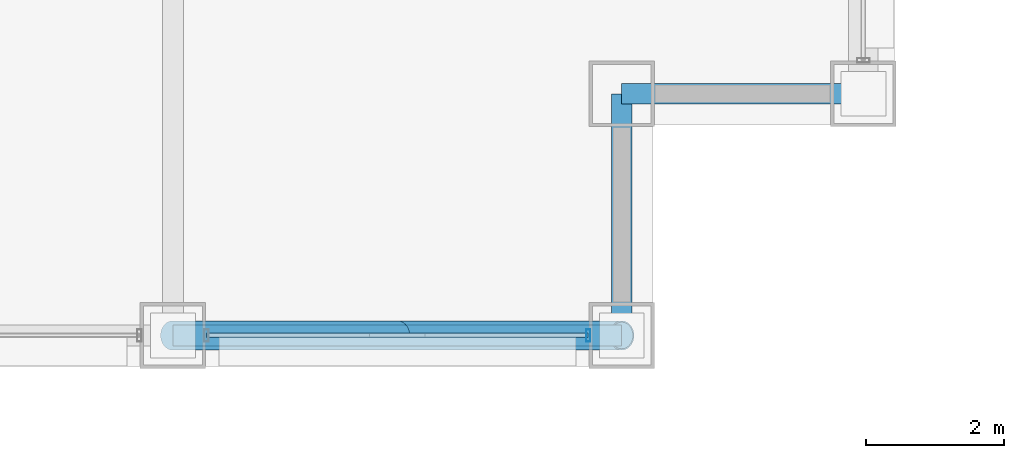
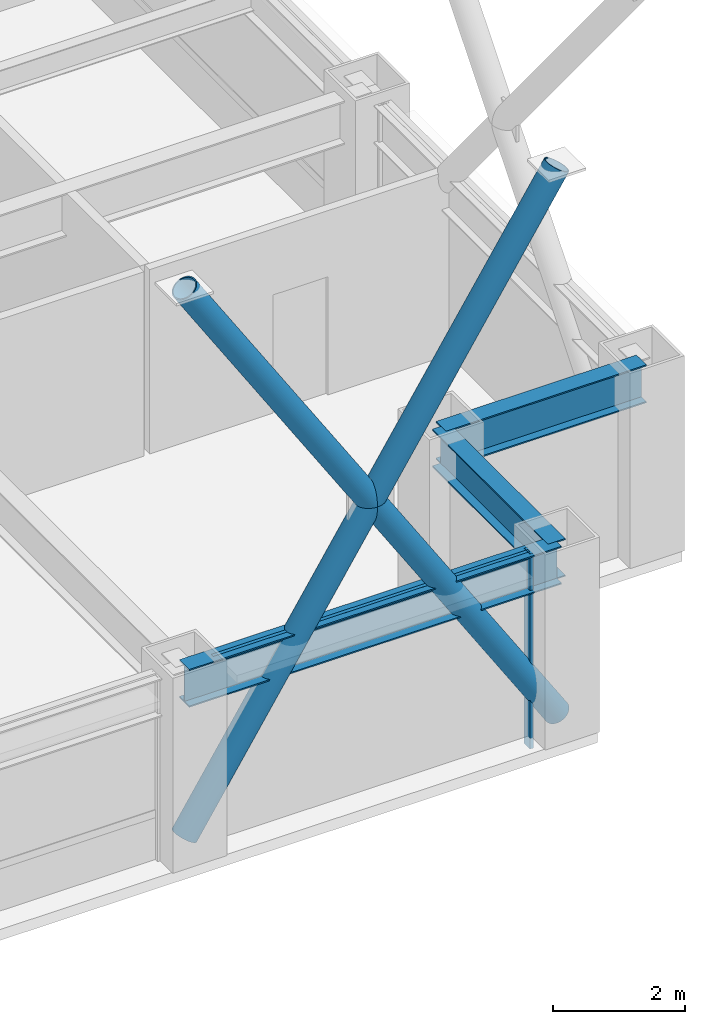
# One storey, part 12 of 34: 5 members, 3 beams, 1 element without a shape of its own.
"""IFC4 building model written with IfcOpenShell, lengths in metres."""

from ifc_helpers import new_model, si_unit, direction, frame, origin, origin_2d, place, context, subcontext, project, spatial, hollow_rectangle, hollow_circle, i_section, extrude, material, layer, layer_set, material_profile, profile_set, type_object, element, aggregate, save


model = new_model("IFC4")

# Units and contexts
model_context = context("Model", 3, precision=1e-05, world=origin(), true_north=direction((0.0, 1.0)))
body_context = subcontext(model_context, "Body", "Model", "MODEL_VIEW")
ifc_project = project(units=[si_unit("LENGTHUNIT", "METRE"), si_unit("AREAUNIT", "SQUARE_METRE"), si_unit("VOLUMEUNIT", "CUBIC_METRE"), si_unit("PLANEANGLEUNIT", "RADIAN"), si_unit("MASSUNIT", "GRAM", prefix="KILO")], contexts=[model_context])

# Site, building, storey
site_placement = place(None, origin())
site = spatial("IfcSite", under=ifc_project, at=site_placement, CompositionType="ELEMENT")
building_placement = place(site_placement, origin())
building = spatial("IfcBuilding", under=site, at=building_placement, Name="Brelmoor Portico Tower", CompositionType="ELEMENT")
storey_placement = place(building_placement, frame((0.0, 0.0, 45.60009765625)))
storey = spatial("IfcBuildingStorey", under=building, at=storey_placement, Name="L11", CompositionType="ELEMENT", Elevation=45.60009765625)

# Beams
ifc_material_1 = material(Name="Steel Q355B", Category="steel")
ifc_material_profile_1 = material_profile(ifc_material_1, i_section(OverallWidth=0.300048828125, OverallDepth=0.699951171875, WebThickness=0.012939453125, FlangeThickness=0.02392578125, at=origin_2d()), Name="HN 700x300x13x24")
ifc_profile_set_1 = profile_set([ifc_material_profile_1], Name="Steel Q355B")
beam_type = type_object("IfcBeamType", Name="BM-SP-700", PredefinedType="SPANDREL", material=ifc_profile_set_1)
beam_placement = place(storey_placement, frame((14.550048828125, -21.550048828125, 3.0498046875), z_axis=(1.0, 0.0, 0.0), x_axis=(0.0, 1.0, 0.0)))
element("IfcBeam", 1, at=beam_placement, inside=storey, type_object=beam_type, Name="L11 Perimeter Spandrel Beam SP-05", PredefinedType="SPANDREL", context=body_context, shape_type="SweptSolid", body=[
    extrude(i_section(OverallWidth=0.300048828125, OverallDepth=0.699951171875, WebThickness=0.012939453125, FlangeThickness=0.02392578125, at=origin_2d()), origin(), (0.0, 0.0, 1.0), 6.5),
])
for number, where, z_axis, x_axis, name in (
    (2, (21.050048828125, -18.050048828125, 3.0498046875), (1.0, 0.0, 0.0), (0.0, 1.0, 0.0), "L11 Perimeter Spandrel Beam SP-07"),
    (3, (21.050048828125, -21.550048828125, 3.0498046875), (0.0, 1.0, 0.0), (-1.0, 0.0, 0.0), "L11 Perimeter Spandrel Beam SP-20"),
):
    element("IfcBeam", number, at=place(storey_placement, frame(where, z_axis=z_axis, x_axis=x_axis)), inside=storey, type_object=beam_type, Name=name, PredefinedType="SPANDREL", context=body_context, shape_type="SweptSolid", body=[
        extrude(i_section(OverallWidth=0.300048828125, OverallDepth=0.699951171875, WebThickness=0.012939453125, FlangeThickness=0.02392578125, at=origin_2d()), origin(), (0.0, 0.0, 1.0), 3.5),
    ])

# Members
ifc_material_profile_2 = material_profile(ifc_material_1, hollow_circle(Radius=0.212890625, WallThickness=0.02001953125, at=origin_2d()), Name="CHS 426x20")
ifc_profile_set_2 = profile_set([ifc_material_profile_2], Name="Steel Q355B")
member_type_1 = type_object("IfcMemberType", Name="MB-BELT-DIAG1", PredefinedType="BRACE", material=ifc_profile_set_2)
member_1_placement = place(storey_placement, frame((14.550048828125, -21.550048828125, 0.25), z_axis=(0.541183873462, 0.0, 0.840904284152), x_axis=(0.0, 1.0, 0.0)))
element("IfcMember", 4, at=member_1_placement, inside=storey, type_object=member_type_1, Name="L11 Continuous Mega-X Brace 018A", PredefinedType="BRACE", context=body_context, shape_type="SweptSolid", body=[
    extrude(hollow_circle(Radius=0.212890625, WallThickness=0.02001953125, at=origin_2d()), origin(), (0.0, 0.0, 1.0), 12.0107421875),
])
for number, where, z_axis, x_axis, name in (
    (5, (21.050048828125, -21.550048828125, 0.25), (-0.541193124039, 0.0, 0.840898330651), (0.0, -1.0, 0.0), "L11 Split Mega-X Brace 018B1"),
    (6, (17.800048828125, -21.550048828125, 5.2998046875), (-0.541174623135, 0.0, 0.840910237347), (0.0, -1.0, 0.0), "L11 Split Mega-X Brace 018B2"),
):
    element("IfcMember", number, at=place(storey_placement, frame(where, z_axis=z_axis, x_axis=x_axis)), inside=storey, type_object=member_type_1, Name=name, PredefinedType="BRACE", context=body_context, shape_type="SweptSolid", body=[
        extrude(hollow_circle(Radius=0.212890625, WallThickness=0.02001953125, at=origin_2d()), origin(), (0.0, 0.0, 1.0), 6.00537109375),
    ])

# Curtain wall, members
ifc_material_2 = material(Name="Anodised Aluminium Alloy 6063-T6", Category="aluminium")
ifc_layer = layer(ifc_material_2, 0.179931640625)
ifc_layer_set = layer_set([ifc_layer], Name="Anodised Aluminium Alloy 6063-T6")
curtain_wall_type = type_object("IfcCurtainWallType", Name="CW-TOWER-Z1-XB", PredefinedType="NOTDEFINED", material=ifc_layer_set)
curtain_wall_placement = place(storey_placement, origin())
curtain_wall = element("IfcCurtainWall", 7, at=curtain_wall_placement, inside=storey, type_object=curtain_wall_type, Name="L11 Curtain Wall CW-L11-1R-3", PredefinedType="NOTDEFINED")
ifc_material_profile_3 = material_profile(ifc_material_2, hollow_rectangle(XDim=0.06494140625, YDim=0.179931640625, WallThickness=0.00390625, at=origin_2d()), Name="ALU MULLION 65x180")
ifc_profile_set_3 = profile_set([ifc_material_profile_3], Name="Anodised Aluminium Alloy 6063-T6")
member_type_2 = type_object("IfcMemberType", Name="MB-CW-MULL-180", PredefinedType="MULLION", material=ifc_profile_set_3)
member_2_placement = place(storey_placement, frame((20.56494140625, -21.550048828125, -0.2001953125), z_axis=(0.0, 0.0, 1.0), x_axis=(1.0, 0.0, 0.0)))
member_2 = element("IfcMember", 8, at=member_2_placement, type_object=member_type_2, Name="CW-L11-1R-3 Mullion 01", PredefinedType="MULLION", context=body_context, shape_type="SweptSolid", body=[
    extrude(hollow_rectangle(XDim=0.06494140625, YDim=0.179931640625, WallThickness=0.00390625, at=origin_2d()), origin(), (0.0, 0.0, 1.0), 3.60009765625),
])
ifc_material_profile_4 = material_profile(ifc_material_2, hollow_rectangle(XDim=0.06494140625, YDim=0.139892578125, WallThickness=0.00390625, at=origin_2d()), Name="ALU TRANSOM 65x140")
ifc_profile_set_4 = profile_set([ifc_material_profile_4], Name="Anodised Aluminium Alloy 6063-T6")
member_type_3 = type_object("IfcMemberType", Name="MB-CW-TRAN-140", PredefinedType="USERDEFINED", material=ifc_profile_set_4)
member_3_placement = place(storey_placement, frame((15.034912109375, -21.550048828125, 3.329833984375), z_axis=(1.0, 0.0, 0.0), x_axis=(0.0, 1.0, 0.0)))
member_3 = element("IfcMember", 9, at=member_3_placement, type_object=member_type_3, Name="CW-L11-1R-3 Transom 1-00", ObjectType="TRANSOM", PredefinedType="USERDEFINED", context=body_context, shape_type="SweptSolid", body=[
    extrude(hollow_rectangle(XDim=0.06494140625, YDim=0.139892578125, WallThickness=0.00390625, at=origin_2d()), origin(), (0.0, 0.0, 1.0), 5.530029296875),
])
aggregate(curtain_wall, [member_2, member_3])

save(model, "model.ifc")
